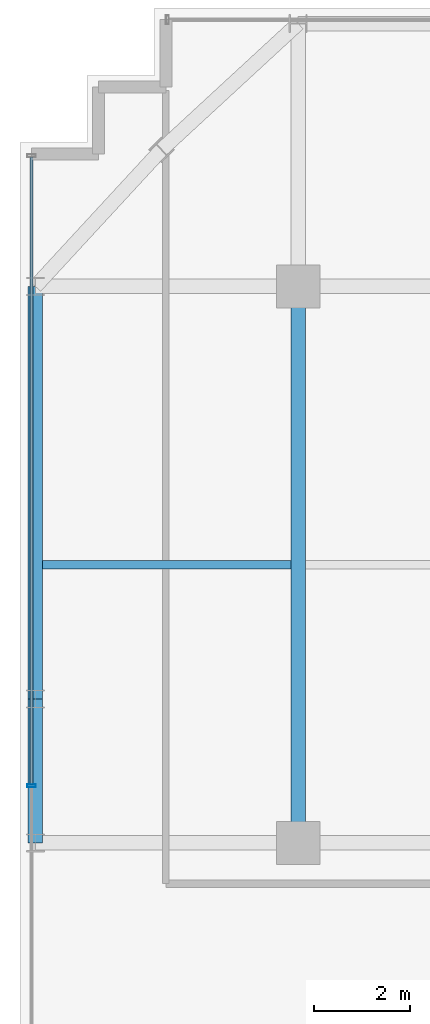
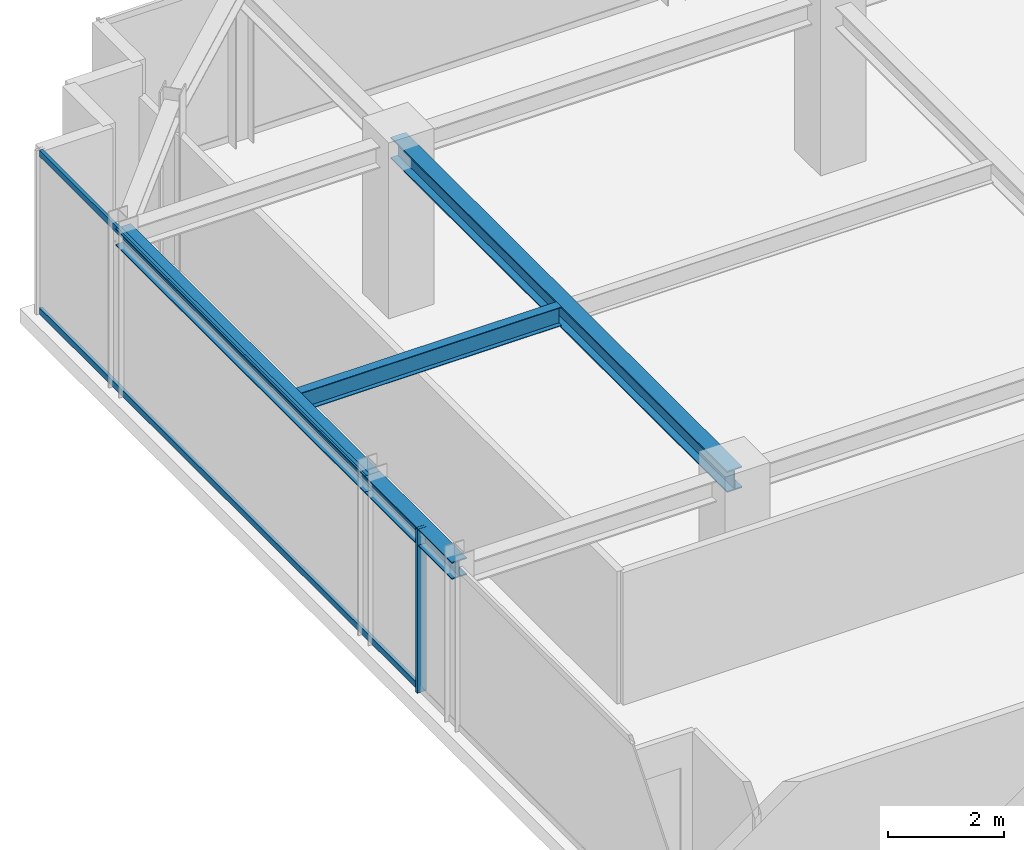
# One storey, part 15 of 32: 4 beams, 3 members, 1 element without a shape of its own.
"""IFC4 building model written with IfcOpenShell, lengths in metres."""

from ifc_helpers import new_model, si_unit, direction, frame, origin, origin_2d, place, context, subcontext, project, spatial, hollow_rectangle, i_section, extrude, source, transform, mapped, material, material_profile, profile_set, type_object, element, aggregate, save


model = new_model("IFC4")

# Units and contexts
model_context = context("Model", 3, precision=1e-05, world=origin(), true_north=direction((0.0, 1.0)))
body_context = subcontext(model_context, "Body", "Model", "MODEL_VIEW")
ifc_project = project(units=[si_unit("LENGTHUNIT", "METRE"), si_unit("AREAUNIT", "SQUARE_METRE"), si_unit("VOLUMEUNIT", "CUBIC_METRE"), si_unit("PLANEANGLEUNIT", "RADIAN"), si_unit("MASSUNIT", "GRAM", prefix="KILO")], contexts=[model_context])

# Site, building, storey
site_placement = place(None, origin())
site = spatial("IfcSite", under=ifc_project, at=site_placement, CompositionType="ELEMENT")
building_placement = place(site_placement, origin())
building = spatial("IfcBuilding", under=site, at=building_placement, Name="Nahalor Promenade Grand Hotel", CompositionType="ELEMENT")
storey_placement = place(building_placement, frame((0.0, 0.0, 285.050048828125)))
storey = spatial("IfcBuildingStorey", under=building, at=storey_placement, Name="L73", CompositionType="ELEMENT", Elevation=285.050048828125)

# Beams
ifc_material_1 = material(Name="Steel S355JR", Category="steel")
ifc_material_profile_1 = material_profile(ifc_material_1, i_section(OverallWidth=0.3, OverallDepth=0.45, WebThickness=0.014, FlangeThickness=0.026, at=origin_2d()), Name="HEB 450")
ifc_profile_set_1 = profile_set([ifc_material_profile_1], Name="Steel S355JR")
beam_type_1 = type_object("IfcBeamType", Name="Beam-Girder-HEB450", PredefinedType="BEAM", material=ifc_profile_set_1)
shared_shape_1 = source(origin(), body_context, "Body", "SweptSolid", [
    extrude(i_section(OverallWidth=0.3, OverallDepth=0.45, WebThickness=0.014, FlangeThickness=0.026, at=origin_2d()), origin(), (0.0, 0.0, 1.0), 11.60009765625),
])
beam_1_placement = place(storey_placement, frame((-17.0, 5.39990234375, 3.224853515625), z_axis=(0.0, 1.0, 0.0), x_axis=(-1.0, 0.0, 0.0)))
element("IfcBeam", 1, at=beam_1_placement, inside=storey, type_object=beam_type_1, Name="BM-L73-GY-0-3", PredefinedType="BEAM", context=body_context, shape_type="MappedRepresentation", body=[
    mapped(shared_shape_1, transform((0.0, 0.0, 0.0), scale=1.0)),
])
ifc_material_profile_2 = material_profile(ifc_material_1, i_section(OverallWidth=0.18, OverallDepth=0.4, WebThickness=0.0086, FlangeThickness=0.0135, at=origin_2d()), Name="IPE 400")
ifc_profile_set_2 = profile_set([ifc_material_profile_2], Name="Steel S355JR")
beam_type_2 = type_object("IfcBeamType", Name="Beam-Joist-IPE400", PredefinedType="JOIST", material=ifc_profile_set_2)
shared_shape_2 = source(origin(), body_context, "Body", "SweptSolid", [
    extrude(i_section(OverallWidth=0.18, OverallDepth=0.4, WebThickness=0.0086, FlangeThickness=0.0135, at=origin_2d()), origin(), (0.0, 0.0, 1.0), 5.18017578125),
])
beam_2_placement = place(storey_placement, frame((-22.330078125, 11.199951171875, 3.25), z_axis=(1.0, 0.0, 0.0), x_axis=(0.0, 1.0, 0.0)))
element("IfcBeam", 2, at=beam_2_placement, inside=storey, type_object=beam_type_2, Name="BM-L73-JSW-1-0", PredefinedType="JOIST", context=body_context, shape_type="MappedRepresentation", body=[
    mapped(shared_shape_2, transform((0.0, 0.0, 0.0), scale=1.0)),
])
ifc_material_profile_3 = material_profile(ifc_material_1, i_section(OverallWidth=0.3, OverallDepth=0.36, WebThickness=0.0125, FlangeThickness=0.0225, at=origin_2d()), Name="HEB 360")
ifc_profile_set_3 = profile_set([ifc_material_profile_3], Name="Steel S355JR")
beam_type_3 = type_object("IfcBeamType", Name="Beam-Spandrel-HEB360", PredefinedType="SPANDREL", material=ifc_profile_set_3)
shared_shape_3 = source(origin(), body_context, "Body", "SweptSolid", [
    extrude(i_section(OverallWidth=0.3, OverallDepth=0.36, WebThickness=0.0125, FlangeThickness=0.0225, at=origin_2d()), origin(), (0.0, 0.0, 1.0), 8.60009765625),
])
beam_3_placement = place(storey_placement, frame((-22.47998046875, 8.39990234375, 3.27001953125), z_axis=(0.0, 1.0, 0.0), x_axis=(-1.0, 0.0, 0.0)))
element("IfcBeam", 3, at=beam_3_placement, inside=storey, type_object=beam_type_3, Name="BM-L73-SP-W-4", PredefinedType="SPANDREL", context=body_context, shape_type="MappedRepresentation", body=[
    mapped(shared_shape_3, transform((0.0, 0.0, 0.0), scale=1.0)),
])
shared_shape_4 = source(origin(), body_context, "Body", "SweptSolid", [
    extrude(i_section(OverallWidth=0.3, OverallDepth=0.36, WebThickness=0.0125, FlangeThickness=0.0225, at=origin_2d()), origin(), (0.0, 0.0, 1.0), 3.0),
])
beam_4_placement = place(storey_placement, frame((-22.47998046875, 5.39990234375, 3.27001953125), z_axis=(0.0, 1.0, 0.0), x_axis=(-1.0, 0.0, 0.0)))
element("IfcBeam", 4, at=beam_4_placement, inside=storey, type_object=beam_type_3, Name="BM-L73-SP-W-3", PredefinedType="SPANDREL", context=body_context, shape_type="MappedRepresentation", body=[
    mapped(shared_shape_4, transform((0.0, 0.0, 0.0), scale=1.0)),
])

# Curtain wall, members
ifc_material_2 = material(Name="Anodised Bronze Aluminium EN AW-6063 T6", Category="aluminium")
curtain_wall_type = type_object("IfcCurtainWallType", Name="CW2 Typical Hotel Flush Bronze Unitised Curtain Wall", PredefinedType="USERDEFINED", material=ifc_material_2)
curtain_wall_placement = place(storey_placement, origin())
curtain_wall = element("IfcCurtainWall", 5, at=curtain_wall_placement, inside=storey, type_object=curtain_wall_type, Name="L73 Curtain Wall CW-L73-W-1", ObjectType="UNITISED_CURTAIN_WALL", PredefinedType="USERDEFINED")
ifc_material_profile_4 = material_profile(ifc_material_2, hollow_rectangle(XDim=0.065, YDim=0.13, WallThickness=0.004, at=origin_2d()), Name="CWT 65x130x4")
ifc_profile_set_4 = profile_set([ifc_material_profile_4], Name="Anodised Bronze Aluminium EN AW-6063 T6")
member_type_1 = type_object("IfcMemberType", Name="CWT2 Typical Bronze Transom 65x130", PredefinedType="USERDEFINED", material=ifc_profile_set_4)
shared_shape_5 = source(origin(), body_context, "Body", "SweptSolid", [
    extrude(hollow_rectangle(XDim=0.065, YDim=0.13, WallThickness=0.004, at=origin_2d()), origin(), (0.0, 0.0, 1.0), 13.075927734375),
])
member_1_placement = place(storey_placement, frame((-22.56005859375, 6.619140625, 0.06494140625), z_axis=(0.0, 1.0, 0.0), x_axis=(-1.0, 0.0, 0.0)))
member_1 = element("IfcMember", 6, at=member_1_placement, type_object=member_type_1, Name="CW-L73-W-1 Transom 2-0", ObjectType="TRANSOM", PredefinedType="USERDEFINED", context=body_context, shape_type="MappedRepresentation", body=[
    mapped(shared_shape_5, transform((0.0, 0.0, 0.0), scale=1.0)),
])
member_2_placement = place(storey_placement, frame((-22.56005859375, 6.619140625, 3.385009765625), z_axis=(0.0, 1.0, 0.0), x_axis=(-1.0, 0.0, 0.0)))
member_2 = element("IfcMember", 7, at=member_2_placement, type_object=member_type_1, Name="CW-L73-W-1 Transom 2-1", ObjectType="TRANSOM", PredefinedType="USERDEFINED", context=body_context, shape_type="MappedRepresentation", body=[
    mapped(shared_shape_5, transform((0.0, 0.0, 0.0), scale=1.0)),
])
ifc_material_profile_5 = material_profile(ifc_material_2, hollow_rectangle(XDim=0.065, YDim=0.18, WallThickness=0.004, at=origin_2d()), Name="CWM 65x180x4")
ifc_profile_set_5 = profile_set([ifc_material_profile_5], Name="Anodised Bronze Aluminium EN AW-6063 T6")
member_type_2 = type_object("IfcMemberType", Name="CWM2 Typical Bronze Mullion 65x180", PredefinedType="MULLION", material=ifc_profile_set_5)
shared_shape_6 = source(origin(), body_context, "Body", "SweptSolid", [
    extrude(hollow_rectangle(XDim=0.065, YDim=0.18, WallThickness=0.004, at=origin_2d()), origin(), (0.0, 0.0, 1.0), 3.449951171875),
])
member_3_placement = place(storey_placement, frame((-22.56005859375, 6.586669921875, 0.0), z_axis=(0.0, 0.0, 1.0), x_axis=(0.0, 1.0, 0.0)))
member_3 = element("IfcMember", 8, at=member_3_placement, type_object=member_type_2, Name="CW-L73-W-1 Mullion 2", PredefinedType="MULLION", context=body_context, shape_type="MappedRepresentation", body=[
    mapped(shared_shape_6, transform((0.0, 0.0, 0.0), scale=1.0)),
])
aggregate(curtain_wall, [member_3, member_1, member_2])

save(model, "model.ifc")
